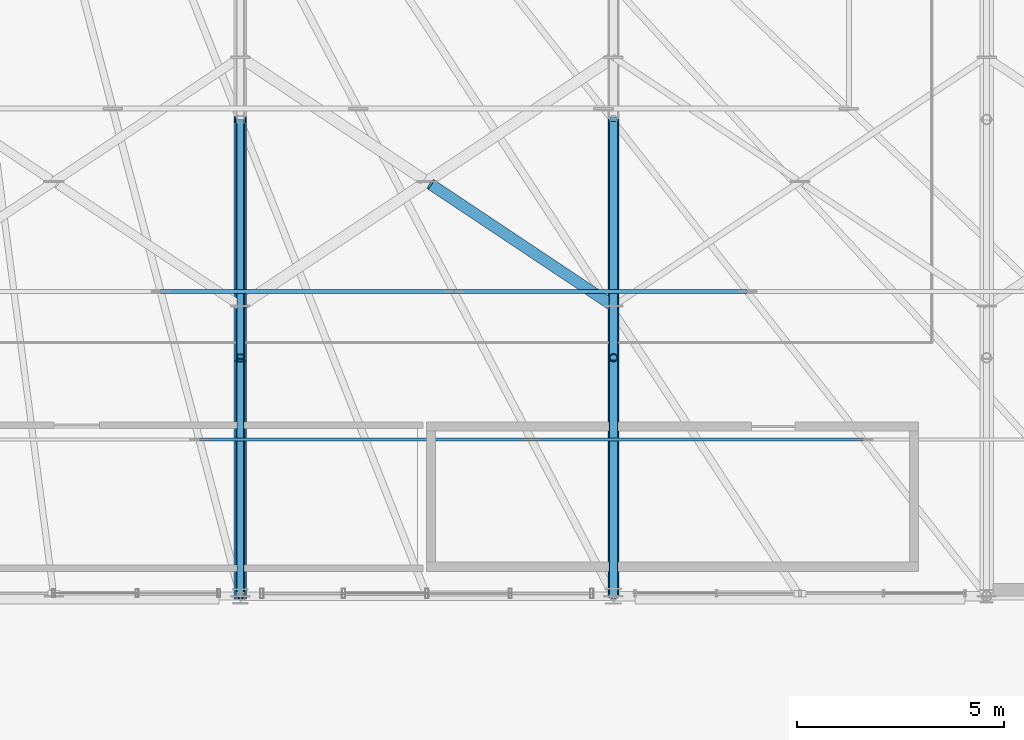
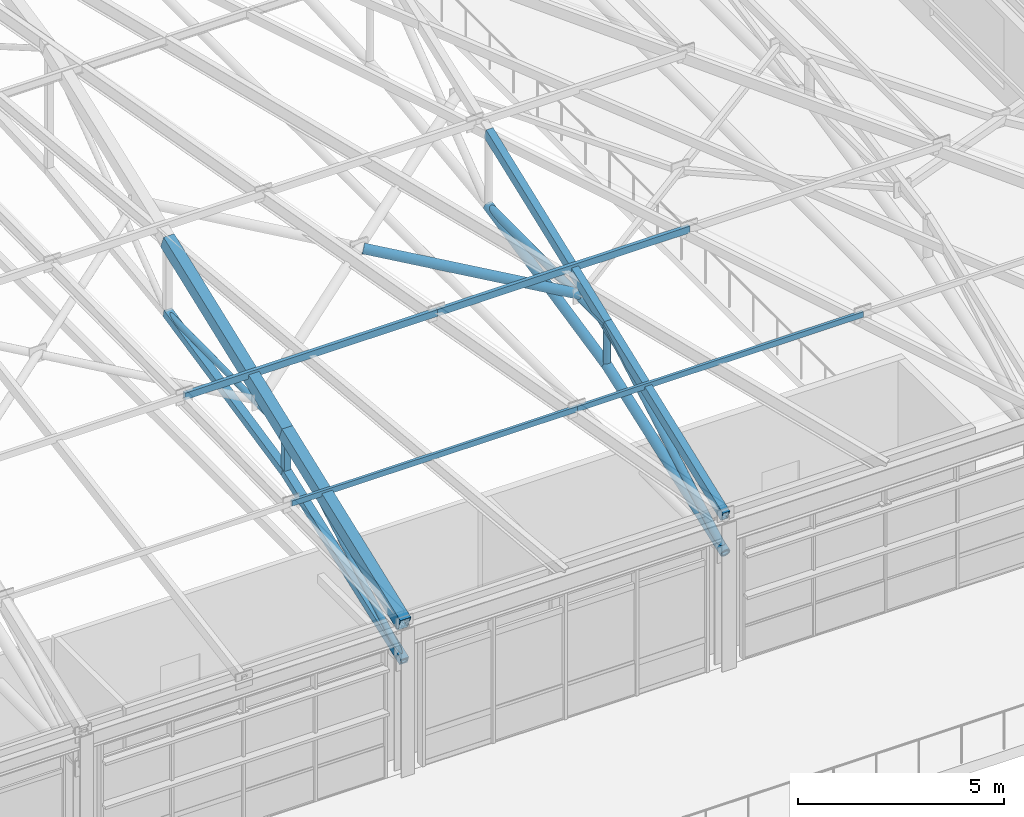
# One storey, part 35 of 168: 15 members, 4 beams.
"""IFC4 building model written with IfcOpenShell, lengths in metres."""

from ifc_helpers import new_model, si_unit, direction, frame, origin, origin_2d, place, context, subcontext, project, spatial, hollow_rectangle, hollow_circle, extrude, material, material_profile, profile_set, type_object, element, save


model = new_model("IFC4")

# Units and contexts
model_context = context("Model", 3, precision=1e-05, world=origin(), true_north=direction((0.0, 1.0)))
body_context = subcontext(model_context, "Body", "Model", "MODEL_VIEW")
ifc_project = project(units=[si_unit("LENGTHUNIT", "METRE"), si_unit("AREAUNIT", "SQUARE_METRE"), si_unit("VOLUMEUNIT", "CUBIC_METRE"), si_unit("PLANEANGLEUNIT", "RADIAN"), si_unit("MASSUNIT", "GRAM", prefix="KILO"), si_unit("THERMODYNAMICTEMPERATUREUNIT", "KELVIN"), si_unit("POWERUNIT", "WATT")], contexts=[model_context])

# Site, building, storey
site_placement = place(None, origin())
site = spatial("IfcSite", under=ifc_project, at=site_placement, CompositionType="ELEMENT")
building_placement = place(site_placement, origin())
building = spatial("IfcBuilding", under=site, at=building_placement, Name="Tepalcoro Natatorium and Aquatics Centre", CompositionType="ELEMENT")
storey_placement = place(building_placement, frame((0.0, 0.0, 10.199951171875)))
storey = spatial("IfcBuildingStorey", under=building, at=storey_placement, Name="L02", CompositionType="ELEMENT", Elevation=10.199951171875)

# Beams
ifc_material_1 = material(Name="Terracotta Painted Hollow Steel ASTM A500 Grade C (Fy 345 MPa)", Category="masonry")
ifc_material_profile_1 = material_profile(ifc_material_1, hollow_rectangle(XDim=0.199951171875, YDim=0.300048828125, WallThickness=0.013916015625, at=origin_2d()), Name="HSS300X200X14")
ifc_profile_set_1 = profile_set([ifc_material_profile_1], Name="Terracotta Painted Hollow Steel ASTM A500 Grade C (Fy 345 MPa)")
beam_type_1 = type_object("IfcBeamType", Name="AC_HSS300x200x14", PredefinedType="USERDEFINED", material=ifc_profile_set_1)
for number, where, z_axis, x_axis, name in (
    (1, (107.0, 13.0, 4.449951171875), (0.0, 0.934186419385, 0.356785276935), (-1.0, 0.0, 0.0), "V1 Arched Truss Top Chord 7"),
    (2, (107.0, 18.75, 6.64599609375), (0.0, 0.934186419385, 0.356785276935), (-1.0, 0.0, 0.0), "V1 Arched Truss Top Chord 7"),
):
    element("IfcBeam", number, at=place(storey_placement, frame(where, z_axis=z_axis, x_axis=x_axis)), inside=storey, type_object=beam_type_1, Name=name, ObjectType="ARCH CHORD", PredefinedType="USERDEFINED", context=body_context, shape_type="SweptSolid", body=[
        extrude(hollow_rectangle(XDim=0.199951171875, YDim=0.300048828125, WallThickness=0.013916015625, at=origin_2d()), origin(), (0.0, 0.0, 1.0), 6.155029296875),
    ])
ifc_material_profile_2 = material_profile(ifc_material_1, hollow_rectangle(XDim=0.300048828125, YDim=0.39990234375, WallThickness=0.01611328125, at=origin_2d()), Name="HSS400X300X16")
ifc_profile_set_2 = profile_set([ifc_material_profile_2], Name="Terracotta Painted Hollow Steel ASTM A500 Grade C (Fy 345 MPa)")
beam_type_2 = type_object("IfcBeamType", Name="AC_HSS400x300x16", PredefinedType="USERDEFINED", material=ifc_profile_set_2)
for number, where, z_axis, x_axis, name in (
    (3, (98.0, 13.0, 4.400146484375), (0.0, 0.93419963938, 0.356750660521), (-1.0, 0.0, 0.0), "V1 Arched Truss Top Chord 6"),
    (4, (98.0, 18.75, 6.595947265625), (0.0, 0.934186419385, 0.356785276935), (-1.0, 0.0, 0.0), "V1 Arched Truss Top Chord 6"),
):
    element("IfcBeam", number, at=place(storey_placement, frame(where, z_axis=z_axis, x_axis=x_axis)), inside=storey, type_object=beam_type_2, Name=name, ObjectType="ARCH CHORD", PredefinedType="USERDEFINED", context=body_context, shape_type="SweptSolid", body=[
        extrude(hollow_rectangle(XDim=0.300048828125, YDim=0.39990234375, WallThickness=0.01611328125, at=origin_2d()), origin(), (0.0, 0.0, 1.0), 6.155029296875),
    ])

# Members
ifc_material_profile_3 = material_profile(ifc_material_1, hollow_circle(Radius=0.136474609375, WallThickness=0.011962890625, at=origin_2d()), Name="CHS273X12")
ifc_profile_set_3 = profile_set([ifc_material_profile_3], Name="Terracotta Painted Hollow Steel ASTM A500 Grade C (Fy 345 MPa)")
member_type_1 = type_object("IfcMemberType", Name="MB_BR_CHS273x12", PredefinedType="BRACE", material=ifc_profile_set_3)
member_1_placement = place(storey_placement, frame((107.0, 20.0, 6.768310546875), z_axis=(-0.813988111584, 0.54264372144, 0.20727070652), x_axis=(-0.55468956716, -0.832057380283, 0.0)))
element("IfcMember", 5, at=member_1_placement, inside=storey, type_object=member_type_1, Name="V1 Pyramid Roof Split Wind Brace", PredefinedType="BRACE", context=body_context, shape_type="SweptSolid", body=[
    extrude(hollow_circle(Radius=0.136474609375, WallThickness=0.011962890625, at=origin_2d()), origin(), (0.0, 0.0, 1.0), 5.418212890625),
])
ifc_material_profile_4 = material_profile(ifc_material_1, hollow_circle(Radius=0.136474609375, WallThickness=0.01611328125, at=origin_2d()), Name="CHS273X16")
ifc_profile_set_4 = profile_set([ifc_material_profile_4], Name="Terracotta Painted Hollow Steel ASTM A500 Grade C (Fy 345 MPa)")
member_type_2 = type_object("IfcMemberType", Name="MB_CH_CHS273x16", PredefinedType="CHORD", material=ifc_profile_set_4)
member_2_placement = place(storey_placement, frame((107.0, 13.0, 3.35009765625), z_axis=(0.0, 0.940463155203, 0.339895651201), x_axis=(-1.0, 0.0, 0.0)))
element("IfcMember", 6, at=member_2_placement, inside=storey, type_object=member_type_2, Name="V1 Arched Truss Bottom Chord 7", PredefinedType="CHORD", context=body_context, shape_type="SweptSolid", body=[
    extrude(hollow_circle(Radius=0.136474609375, WallThickness=0.01611328125, at=origin_2d()), origin(), (0.0, 0.0, 1.0), 6.114013671875),
])
member_3_placement = place(storey_placement, frame((107.0, 18.75, 5.42822265625), z_axis=(0.0, 0.977724584974, 0.209891962535), x_axis=(-1.0, 0.0, 0.0)))
element("IfcMember", 7, at=member_3_placement, inside=storey, type_object=member_type_2, Name="V1 Arched Truss Bottom Chord 7", PredefinedType="CHORD", context=body_context, shape_type="SweptSolid", body=[
    extrude(hollow_circle(Radius=0.136474609375, WallThickness=0.01611328125, at=origin_2d()), origin(), (0.0, 0.0, 1.0), 5.881103515625),
])
ifc_material_profile_5 = material_profile(ifc_material_1, hollow_rectangle(XDim=0.219970703125, YDim=0.219970703125, WallThickness=0.011962890625, at=origin_2d()), Name="HSS220X220X12")
ifc_profile_set_5 = profile_set([ifc_material_profile_5], Name="Terracotta Painted Hollow Steel ASTM A500 Grade C (Fy 345 MPa)")
member_type_3 = type_object("IfcMemberType", Name="MB_CH_HSS220x220x12", PredefinedType="CHORD", material=ifc_profile_set_5)
member_4_placement = place(storey_placement, frame((98.0, 13.0, 3.300048828125), z_axis=(0.0, 0.937826070655, 0.347105547635), x_axis=(-1.0, 0.0, 0.0)))
element("IfcMember", 8, at=member_4_placement, inside=storey, type_object=member_type_3, Name="V1 Arched Truss Bottom Chord 6", PredefinedType="CHORD", context=body_context, shape_type="SweptSolid", body=[
    extrude(hollow_rectangle(XDim=0.219970703125, YDim=0.219970703125, WallThickness=0.011962890625, at=origin_2d()), origin(), (0.0, 0.0, 1.0), 6.131103515625),
])
member_5_placement = place(storey_placement, frame((98.0, 18.75, 5.42822265625), z_axis=(0.0, 0.977724584974, 0.209891962535), x_axis=(-1.0, 0.0, 0.0)))
element("IfcMember", 9, at=member_5_placement, inside=storey, type_object=member_type_3, Name="V1 Arched Truss Bottom Chord 6", PredefinedType="CHORD", context=body_context, shape_type="SweptSolid", body=[
    extrude(hollow_rectangle(XDim=0.219970703125, YDim=0.219970703125, WallThickness=0.011962890625, at=origin_2d()), origin(), (0.0, 0.0, 1.0), 5.881103515625),
])
ifc_material_2 = material(Name="Hollow Steel ASTM A500 Grade C (Fy 345 MPa)", Category="steel")
ifc_material_profile_6 = material_profile(ifc_material_2, hollow_rectangle(XDim=0.080078125, YDim=0.159912109375, WallThickness=0.008056640625, at=origin_2d()), Name="HSS160X80X8")
ifc_profile_set_6 = profile_set([ifc_material_profile_6], Name="Hollow Steel ASTM A500 Grade C (Fy 345 MPa)")
member_type_4 = type_object("IfcMemberType", Name="MB_PR_HSS160x80x8", PredefinedType="PURLIN", material=ifc_profile_set_6)
for number, where, z_axis, x_axis, name in (
    (10, (97.010009765625, 16.780029296875, 6.03662109375), (1.0, 0.0, 0.0), (0.0, 1.0, 0.0), "Pyramid Horizontal Purlin South"),
    (11, (105.02001953125, 16.780029296875, 6.03662109375), (1.0, 0.0, 0.0), (0.0, 1.0, 0.0), "Pyramid Horizontal Purlin South"),
):
    element("IfcMember", number, at=place(storey_placement, frame(where, z_axis=z_axis, x_axis=x_axis)), inside=storey, type_object=member_type_4, Name=name, PredefinedType="PURLIN", context=body_context, shape_type="SweptSolid", body=[
        extrude(hollow_rectangle(XDim=0.080078125, YDim=0.159912109375, WallThickness=0.008056640625, at=origin_2d()), origin(), (0.0, 0.0, 1.0), 8.010009765625),
    ])
ifc_material_profile_7 = material_profile(ifc_material_2, hollow_rectangle(XDim=0.10009765625, YDim=0.199951171875, WallThickness=0.008056640625, at=origin_2d()), Name="HSS200X100X8")
ifc_profile_set_7 = profile_set([ifc_material_profile_7], Name="Hollow Steel ASTM A500 Grade C (Fy 345 MPa)")
member_type_5 = type_object("IfcMemberType", Name="MB_PR_HSS200x100x8", PredefinedType="PURLIN", material=ifc_profile_set_7)
member_6_placement = place(storey_placement, frame((96.074951171875, 20.35009765625, 7.380126953125), z_axis=(1.0, 0.0, 0.0), x_axis=(0.0, 1.0, 0.0)))
element("IfcMember", 12, at=member_6_placement, inside=storey, type_object=member_type_5, Name="Pyramid Horizontal Purlin South", PredefinedType="PURLIN", context=body_context, shape_type="SweptSolid", body=[
    extrude(hollow_rectangle(XDim=0.10009765625, YDim=0.199951171875, WallThickness=0.008056640625, at=origin_2d()), origin(), (0.0, 0.0, 1.0), 7.074951171875),
])
member_7_placement = place(storey_placement, frame((103.14990234375, 20.35009765625, 7.380126953125), z_axis=(1.0, 0.0, 0.0), x_axis=(0.0, 1.0, 0.0)))
element("IfcMember", 13, at=member_7_placement, inside=storey, type_object=member_type_5, Name="Pyramid Horizontal Purlin South", PredefinedType="PURLIN", context=body_context, shape_type="SweptSolid", body=[
    extrude(hollow_rectangle(XDim=0.10009765625, YDim=0.199951171875, WallThickness=0.008056640625, at=origin_2d()), origin(), (0.0, 0.0, 1.0), 7.0751953125),
])
ifc_material_profile_8 = material_profile(ifc_material_1, hollow_circle(Radius=0.096923828125, WallThickness=0.010009765625, at=origin_2d()), Name="CHS194X10")
ifc_profile_set_8 = profile_set([ifc_material_profile_8], Name="Terracotta Painted Hollow Steel ASTM A500 Grade C (Fy 345 MPa)")
member_type_6 = type_object("IfcMemberType", Name="MB_PS_CHS194x10", PredefinedType="POST", material=ifc_profile_set_8)
member_8_placement = place(storey_placement, frame((107.0, 18.75, 5.42822265625), z_axis=(0.0, 0.0, 1.0), x_axis=(1.0, 0.0, 0.0)))
element("IfcMember", 14, at=member_8_placement, inside=storey, type_object=member_type_6, Name="V1 Arched Truss Vertical Post 7", PredefinedType="POST", context=body_context, shape_type="SweptSolid", body=[
    extrude(hollow_circle(Radius=0.096923828125, WallThickness=0.010009765625, at=origin_2d()), origin(), (0.0, 0.0, 1.0), 1.2177734375),
])
ifc_material_profile_9 = material_profile(ifc_material_1, hollow_rectangle(XDim=0.179931640625, YDim=0.179931640625, WallThickness=0.010009765625, at=origin_2d()), Name="HSS180X180X10")
ifc_profile_set_9 = profile_set([ifc_material_profile_9], Name="Terracotta Painted Hollow Steel ASTM A500 Grade C (Fy 345 MPa)")
member_type_7 = type_object("IfcMemberType", Name="MB_PS_HSS180x180x10", PredefinedType="POST", material=ifc_profile_set_9)
member_9_placement = place(storey_placement, frame((98.0, 18.75, 5.42822265625), z_axis=(0.0, 0.0, 1.0), x_axis=(1.0, 0.0, 0.0)))
element("IfcMember", 15, at=member_9_placement, inside=storey, type_object=member_type_7, Name="V1 Arched Truss Vertical Post 6", PredefinedType="POST", context=body_context, shape_type="SweptSolid", body=[
    extrude(hollow_rectangle(XDim=0.179931640625, YDim=0.179931640625, WallThickness=0.010009765625, at=origin_2d()), origin(), (0.0, 0.0, 1.0), 1.167724609375),
])
ifc_material_profile_10 = material_profile(ifc_material_1, hollow_circle(Radius=0.083984375, WallThickness=0.011962890625, at=origin_2d()), Name="CHS168X12")
ifc_profile_set_10 = profile_set([ifc_material_profile_10], Name="Terracotta Painted Hollow Steel ASTM A500 Grade C (Fy 345 MPa)")
member_type_8 = type_object("IfcMemberType", Name="MB_ST_CHS168x12", PredefinedType="STRUT", material=ifc_profile_set_10)
member_10_placement = place(storey_placement, frame((98.0, 13.0, 3.300048828125), z_axis=(0.0, 0.867580440338, 0.497296872646), x_axis=(-1.0, 0.0, 0.0)))
element("IfcMember", 16, at=member_10_placement, inside=storey, type_object=member_type_8, Name="V1 Arched Truss Web Diagonal 6", PredefinedType="STRUT", context=body_context, shape_type="SweptSolid", body=[
    extrude(hollow_circle(Radius=0.083984375, WallThickness=0.011962890625, at=origin_2d()), origin(), (0.0, 0.0, 1.0), 6.627685546875),
])
member_11_placement = place(storey_placement, frame((98.0, 18.75, 6.595947265625), z_axis=(0.0, 0.999932826813, 0.011590593653), x_axis=(-1.0, 0.0, 0.0)))
element("IfcMember", 17, at=member_11_placement, inside=storey, type_object=member_type_8, Name="V1 Arched Truss Web Diagonal 6", PredefinedType="STRUT", context=body_context, shape_type="SweptSolid", body=[
    extrude(hollow_circle(Radius=0.083984375, WallThickness=0.011962890625, at=origin_2d()), origin(), (0.0, 0.0, 1.0), 5.75048828125),
])
ifc_material_profile_11 = material_profile(ifc_material_1, hollow_circle(Radius=0.109619140625, WallThickness=0.013916015625, at=origin_2d()), Name="CHS219X14")
ifc_profile_set_11 = profile_set([ifc_material_profile_11], Name="Terracotta Painted Hollow Steel ASTM A500 Grade C (Fy 345 MPa)")
member_type_9 = type_object("IfcMemberType", Name="MB_ST_CHS219x14", PredefinedType="STRUT", material=ifc_profile_set_11)
member_12_placement = place(storey_placement, frame((107.0, 13.0, 3.35009765625), z_axis=(0.0, 0.867580440338, 0.497296872646), x_axis=(-1.0, 0.0, 0.0)))
element("IfcMember", 18, at=member_12_placement, inside=storey, type_object=member_type_9, Name="V1 Arched Truss Web Diagonal 7", PredefinedType="STRUT", context=body_context, shape_type="SweptSolid", body=[
    extrude(hollow_circle(Radius=0.109619140625, WallThickness=0.013916015625, at=origin_2d()), origin(), (0.0, 0.0, 1.0), 6.627685546875),
])
member_13_placement = place(storey_placement, frame((107.0, 18.75, 6.64599609375), z_axis=(0.0, 0.999995831983, 0.002887216227), x_axis=(-1.0, 0.0, 0.0)))
element("IfcMember", 19, at=member_13_placement, inside=storey, type_object=member_type_9, Name="V1 Arched Truss Web Diagonal 7", PredefinedType="STRUT", context=body_context, shape_type="SweptSolid", body=[
    extrude(hollow_circle(Radius=0.109619140625, WallThickness=0.013916015625, at=origin_2d()), origin(), (0.0, 0.0, 1.0), 5.75),
])

save(model, "model.ifc")
